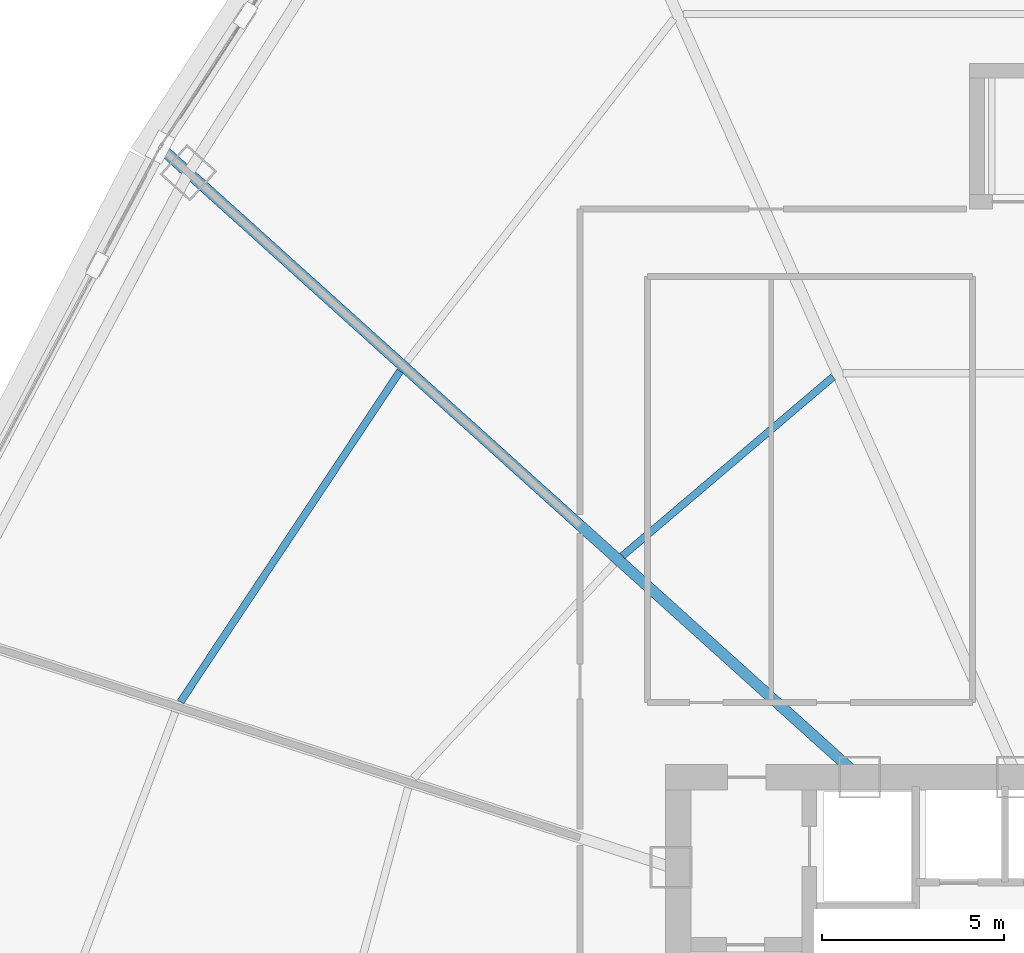
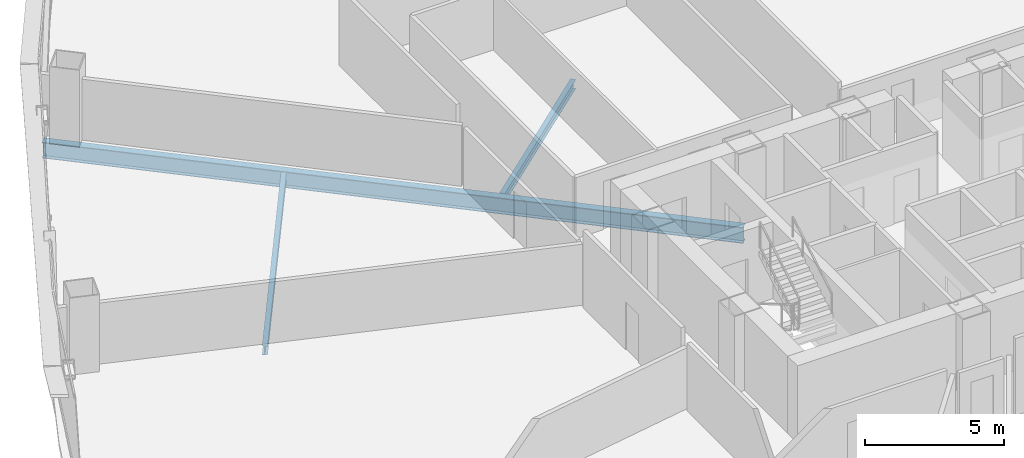
# One storey, part 15 of 41: 3 beams.
"""IFC4 building model written with IfcOpenShell, lengths in metres."""

from ifc_helpers import new_model, si_unit, direction, frame, origin, origin_2d, place, context, subcontext, project, spatial, i_section, extrude, source, transform, mapped, material, material_profile, profile_set, type_object, element, save


model = new_model("IFC4")

# Units and contexts
model_context = context("Model", 3, precision=1e-05, world=origin(), true_north=direction((0.0, 1.0)))
body_context = subcontext(model_context, "Body", "Model", "MODEL_VIEW")
ifc_project = project(units=[si_unit("LENGTHUNIT", "METRE"), si_unit("AREAUNIT", "SQUARE_METRE"), si_unit("VOLUMEUNIT", "CUBIC_METRE"), si_unit("PLANEANGLEUNIT", "RADIAN"), si_unit("MASSUNIT", "GRAM", prefix="KILO"), si_unit("THERMODYNAMICTEMPERATUREUNIT", "KELVIN"), si_unit("POWERUNIT", "WATT")], contexts=[model_context])

# Site, building, storey
site_placement = place(None, origin())
site = spatial("IfcSite", under=ifc_project, at=site_placement, CompositionType="ELEMENT")
building_placement = place(site_placement, origin())
building = spatial("IfcBuilding", under=site, at=building_placement, Name="Yunzhuo Pagoda Commons", CompositionType="ELEMENT")
storey_placement = place(building_placement, frame((0.0, 0.0, 63.070068359375)))
storey = spatial("IfcBuildingStorey", under=building, at=storey_placement, Name="L16", CompositionType="ELEMENT", Elevation=63.070068359375)

# Beams
ifc_material = material(Name="Structural steel Q355B", Category="steel")
ifc_material_profile_1 = material_profile(ifc_material, i_section(OverallWidth=0.199951171875, OverallDepth=0.39990234375, WebThickness=0.008056640625, FlangeThickness=0.012939453125, at=origin_2d()), Name="Structural steel Q355B")
ifc_profile_set_1 = profile_set([ifc_material_profile_1], Name="Structural steel Q355B")
beam_type_1 = type_object("IfcBeamType", Name="B-JS1 Joist HN 400x200x8x13", PredefinedType="JOIST", material=ifc_profile_set_1)
shared_shape_1 = source(origin(), body_context, "Body", "SweptSolid", [
    extrude(i_section(OverallWidth=0.199951171875, OverallDepth=0.39990234375, WebThickness=0.008056640625, FlangeThickness=0.012939453125, at=origin_2d()), origin(), (0.0, 0.0, 1.0), 10.904052734375),
])
beam_1_placement = place(storey_placement, frame((28.160888671875, 51.351806640625, -0.4599609375), z_axis=(-0.552916349928, -0.833236767061, 0.0), x_axis=(0.833236767061, -0.552916349928, 0.0)))
element("IfcBeam", 1, at=beam_1_placement, inside=storey, type_object=beam_type_1, Name="L16 composite ring joist 2.10", PredefinedType="JOIST", context=body_context, shape_type="MappedRepresentation", body=[
    mapped(shared_shape_1, transform((0.0, 0.0, 0.0), scale=1.0)),
])
shared_shape_2 = source(origin(), body_context, "Body", "SweptSolid", [
    extrude(i_section(OverallWidth=0.199951171875, OverallDepth=0.39990234375, WebThickness=0.008056640625, FlangeThickness=0.012939453125, at=origin_2d()), origin(), (0.0, 0.0, 1.0), 7.583984375),
])
beam_2_placement = place(storey_placement, frame((40.046875, 51.18798828125, -0.4599609375), z_axis=(-0.762037799133, -0.647532541803, 0.0), x_axis=(0.647532541803, -0.762037799133, 0.0)))
element("IfcBeam", 2, at=beam_2_placement, inside=storey, type_object=beam_type_1, Name="L16 composite ring joist 1.9", PredefinedType="JOIST", context=body_context, shape_type="MappedRepresentation", body=[
    mapped(shared_shape_2, transform((0.0, 0.0, 0.0), scale=1.0)),
])
ifc_material_profile_2 = material_profile(ifc_material, i_section(OverallWidth=0.300048828125, OverallDepth=0.699951171875, WebThickness=0.012939453125, FlangeThickness=0.02392578125, at=origin_2d()), Name="Structural steel Q355B")
ifc_profile_set_2 = profile_set([ifc_material_profile_2], Name="Structural steel Q355B")
beam_type_2 = type_object("IfcBeamType", Name="B-RG1 Beam HN 700x300x13x24", PredefinedType="BEAM", material=ifc_profile_set_2)
shared_shape_3 = source(origin(), body_context, "Body", "SweptSolid", [
    extrude(i_section(OverallWidth=0.300048828125, OverallDepth=0.699951171875, WebThickness=0.012939453125, FlangeThickness=0.02392578125, at=origin_2d()), origin(), (0.0, 0.0, 1.0), 25.694580078125),
])
beam_3_placement = place(storey_placement, frame((21.686279296875, 57.39306640625, -0.610107421875), z_axis=(0.743141995852, -0.669133748963, 0.0), x_axis=(0.669133748963, 0.743141995852, 0.0)))
element("IfcBeam", 3, at=beam_3_placement, inside=storey, type_object=beam_type_2, Name="L16 radial floor girder F3C2", PredefinedType="BEAM", context=body_context, shape_type="MappedRepresentation", body=[
    mapped(shared_shape_3, transform((0.0, 0.0, 0.0), scale=1.0)),
])

save(model, "model.ifc")
